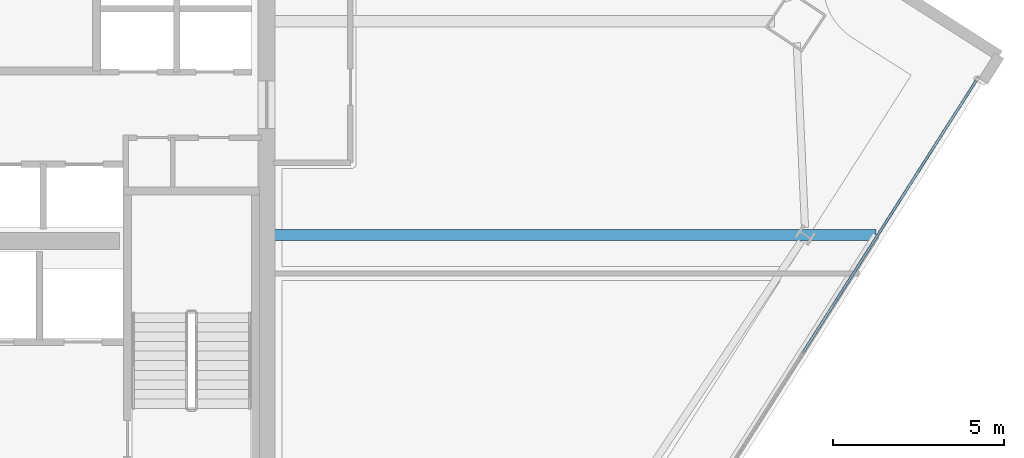
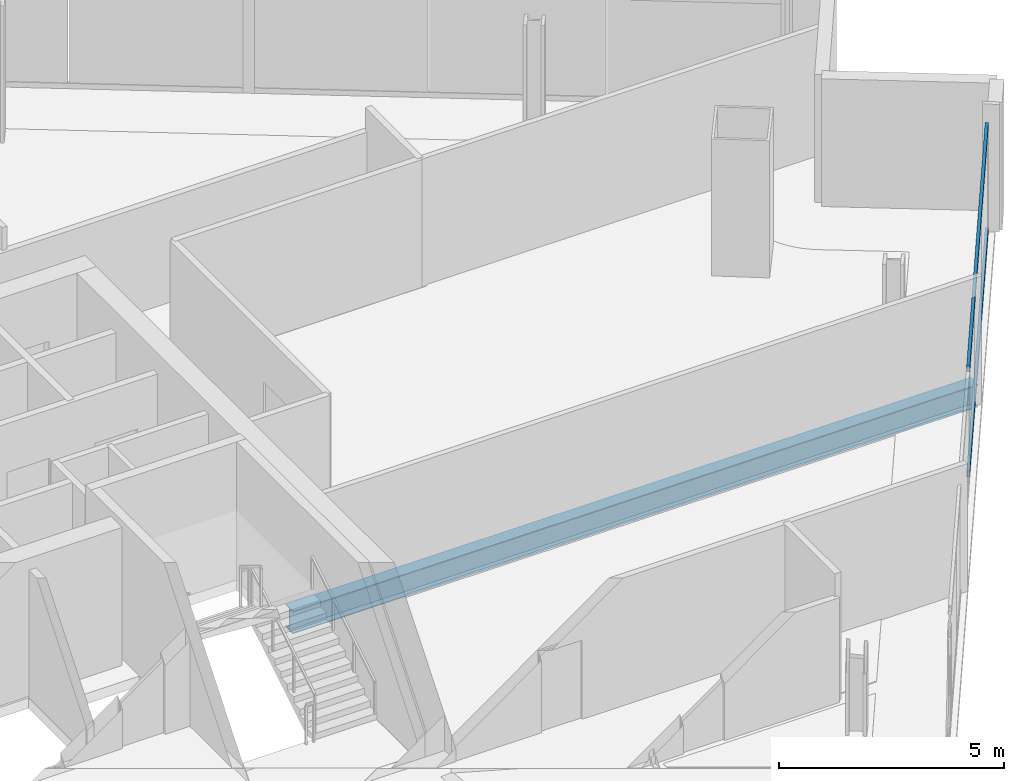
# One storey, part 12 of 30: 2 members, 1 beam, 1 element without a shape of its own.
"""IFC4 building model written with IfcOpenShell, lengths in metres."""

from ifc_helpers import new_model, si_unit, direction, frame, origin, origin_2d, place, context, subcontext, project, spatial, hollow_rectangle, i_section, extrude, material, material_profile, profile_set, type_object, element, aggregate, save


model = new_model("IFC4")

# Units and contexts
model_context = context("Model", 3, precision=1e-05, world=origin(), true_north=direction((0.0, 1.0)))
body_context = subcontext(model_context, "Body", "Model", "MODEL_VIEW")
ifc_project = project(units=[si_unit("LENGTHUNIT", "METRE"), si_unit("AREAUNIT", "SQUARE_METRE"), si_unit("VOLUMEUNIT", "CUBIC_METRE"), si_unit("PLANEANGLEUNIT", "RADIAN"), si_unit("MASSUNIT", "GRAM", prefix="KILO")], contexts=[model_context])

# Site, building, storey
site_placement = place(None, origin())
site = spatial("IfcSite", under=ifc_project, at=site_placement, CompositionType="ELEMENT")
building_placement = place(site_placement, origin())
building = spatial("IfcBuilding", under=site, at=building_placement, Name="Haldenkirk Collegiate Tower", CompositionType="ELEMENT")
storey_placement = place(building_placement, frame((0.0, 0.0, 220.949951171875)))
storey = spatial("IfcBuildingStorey", under=building, at=storey_placement, Name="L55", CompositionType="ELEMENT", Elevation=220.949951171875)

# Beam
ifc_material_1 = material(Name="Steel ASTM A992 Grade 50", Category="steel")
ifc_material_profile_1 = material_profile(ifc_material_1, i_section(OverallWidth=0.324951171875, OverallDepth=0.615966796875, WebThickness=0.013916015625, FlangeThickness=0.021484375, at=origin_2d()), Name="W24X117")
ifc_profile_set_1 = profile_set([ifc_material_profile_1], Name="Steel ASTM A992 Grade 50")
beam_type = type_object("IfcBeamType", Name="BM-GIRDER-W24X117", PredefinedType="BEAM", material=ifc_profile_set_1)
beam_placement = place(storey_placement, frame((62.8388671875, 25.12646484375, -0.587890625), z_axis=(-1.0, 0.0, 0.0), x_axis=(0.0, -1.0, 0.0)))
element("IfcBeam", 1, at=beam_placement, inside=storey, type_object=beam_type, Name="L55 primary floor girder 07", PredefinedType="BEAM", context=body_context, shape_type="SweptSolid", body=[
    extrude(i_section(OverallWidth=0.324951171875, OverallDepth=0.615966796875, WebThickness=0.013916015625, FlangeThickness=0.021484375, at=origin_2d()), origin(), (0.0, 0.0, 1.0), 17.60888671875),
])

# Curtain wall, members
ifc_material_2 = material(Name="Anodised architectural bronze aluminium", Category="aluminium")
curtain_wall_type = type_object("IfcCurtainWallType", Name="CW-SYS2-CONCAVE", PredefinedType="USERDEFINED", material=ifc_material_2)
curtain_wall_placement = place(storey_placement, origin())
curtain_wall = element("IfcCurtainWall", 2, at=curtain_wall_placement, inside=storey, type_object=curtain_wall_type, Name="L55 South concave recessed bronze-anodised curtain wall", ObjectType="UNITISED CURTAIN WALL", PredefinedType="USERDEFINED")
ifc_material_profile_2 = material_profile(ifc_material_2, hollow_rectangle(XDim=0.074951171875, YDim=0.159912109375, WallThickness=0.0048828125, at=origin_2d()), Name="CW-TRN-02")
ifc_profile_set_2 = profile_set([ifc_material_profile_2], Name="Anodised architectural bronze aluminium")
member_type = type_object("IfcMemberType", Name="CW-TRN-02", PredefinedType="USERDEFINED", material=ifc_profile_set_2)
member_1_placement = place(storey_placement, frame((65.769287109375, 29.65185546875, 0.03759765625), z_axis=(-0.537307817689, -0.843386215829, 0.0), x_axis=(0.843386215829, -0.537307817689, 0.0)))
member_1 = element("IfcMember", 3, at=member_1_placement, type_object=member_type, Name="CW-02 transom 1.1", ObjectType="TRANSOM", PredefinedType="USERDEFINED", context=body_context, shape_type="SweptSolid", body=[
    extrude(hollow_rectangle(XDim=0.074951171875, YDim=0.159912109375, WallThickness=0.0048828125, at=origin_2d()), origin(), (0.0, 0.0, 1.0), 9.46240234375),
])
member_2_placement = place(storey_placement, frame((65.769287109375, 29.65185546875, 2.890625), z_axis=(-0.537307817689, -0.843386215829, 0.0), x_axis=(0.843386215829, -0.537307817689, 0.0)))
member_2 = element("IfcMember", 4, at=member_2_placement, type_object=member_type, Name="CW-02 transom 1.2", ObjectType="TRANSOM", PredefinedType="USERDEFINED", context=body_context, shape_type="SweptSolid", body=[
    extrude(hollow_rectangle(XDim=0.074951171875, YDim=0.159912109375, WallThickness=0.0048828125, at=origin_2d()), origin(), (0.0, 0.0, 1.0), 9.46240234375),
])
aggregate(curtain_wall, [member_1, member_2])

save(model, "model.ifc")
